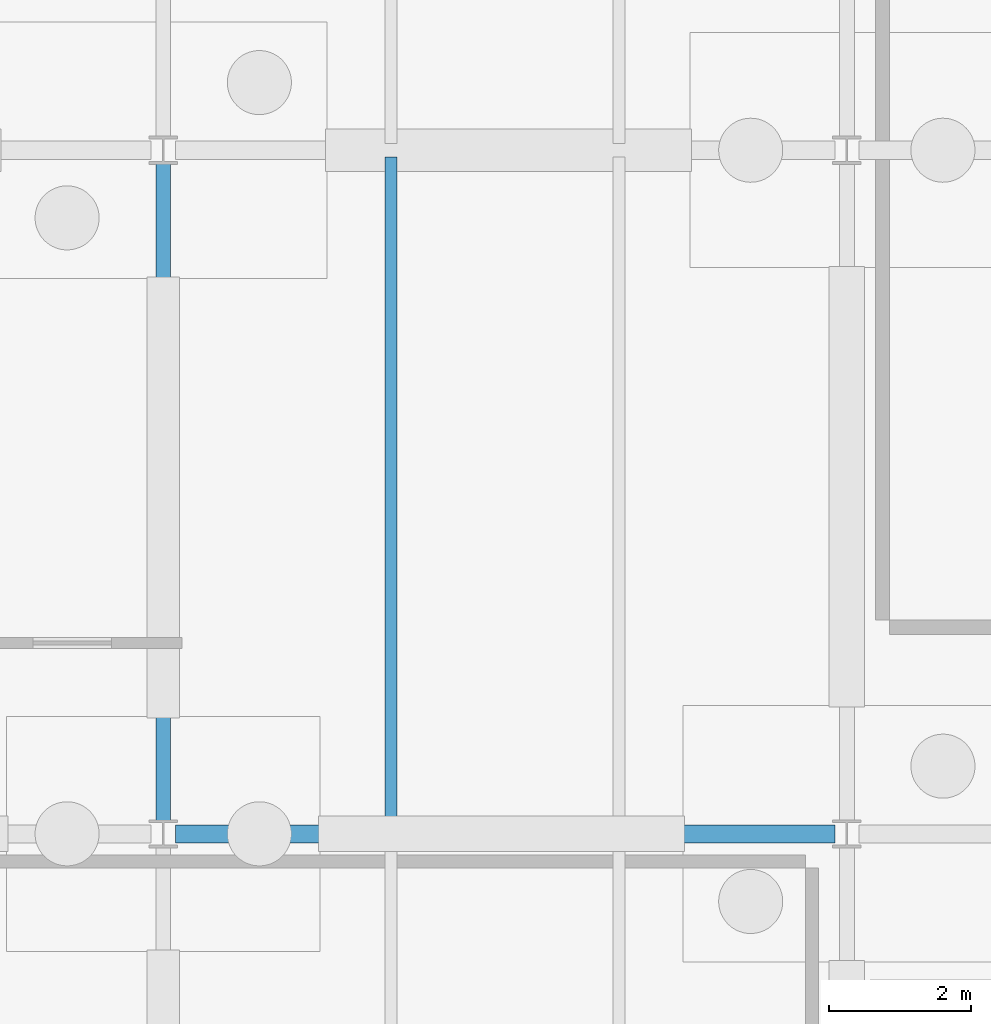
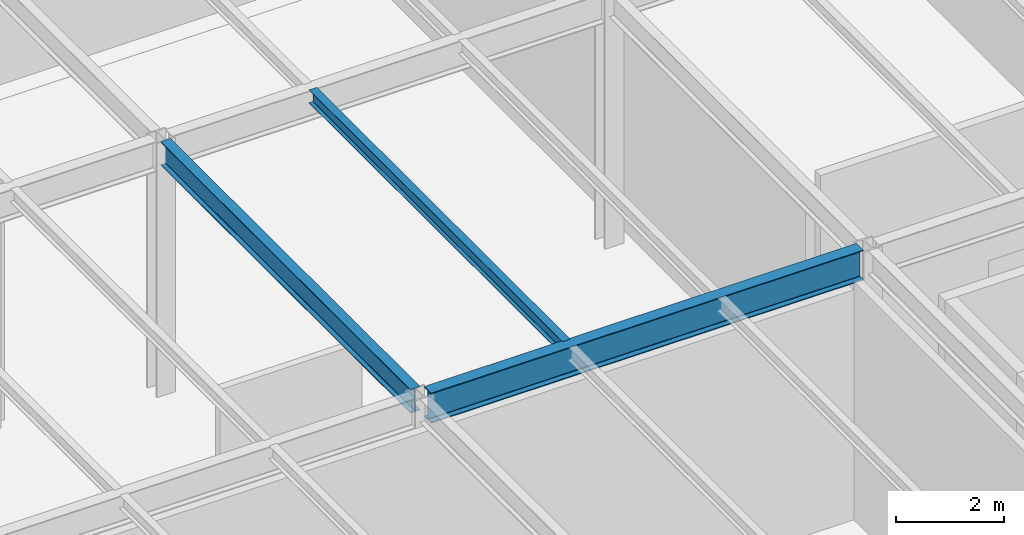
# One storey, part 34 of 142: 3 beams.
"""IFC4 building model written with IfcOpenShell, lengths in metres."""

from ifc_helpers import new_model, si_unit, direction, frame, origin, origin_2d, place, context, subcontext, project, spatial, i_section, extrude, material, material_profile, profile_set, type_object, element, save


model = new_model("IFC4")

# Units and contexts
model_context = context("Model", 3, precision=1e-05, world=origin(), true_north=direction((0.0, 1.0)))
body_context = subcontext(model_context, "Body", "Model", "MODEL_VIEW")
ifc_project = project(units=[si_unit("LENGTHUNIT", "METRE"), si_unit("AREAUNIT", "SQUARE_METRE"), si_unit("VOLUMEUNIT", "CUBIC_METRE"), si_unit("PLANEANGLEUNIT", "RADIAN"), si_unit("MASSUNIT", "GRAM", prefix="KILO")], contexts=[model_context])

# Site, building, storey
site_placement = place(None, origin())
site = spatial("IfcSite", under=ifc_project, at=site_placement, CompositionType="ELEMENT")
building_placement = place(site_placement, origin())
building = spatial("IfcBuilding", under=site, at=building_placement, Name="Coralgate Yard Interchange", CompositionType="ELEMENT")
storey_placement = place(building_placement, origin())
storey = spatial("IfcBuildingStorey", under=building, at=storey_placement, Name="L00", CompositionType="ELEMENT", Elevation=0.0)

# Beams
ifc_material = material(Name="Structural steel S355J2", Category="steel")
ifc_material_profile_1 = material_profile(ifc_material, i_section(OverallWidth=0.209228515625, OverallDepth=0.533203125, WebThickness=0.010009765625, FlangeThickness=0.015625, FilletRadius=0.0126953125, at=origin_2d()), Name="UB 533x210x92")
ifc_profile_set_1 = profile_set([ifc_material_profile_1], Name="Structural steel S355J2")
beam_type_1 = type_object("IfcBeamType", Name="BM-SB-1", PredefinedType="BEAM", material=ifc_profile_set_1)
beam_1_placement = place(storey_placement, frame((9.60009765625, 9.766845703125, 5.4833984375), z_axis=(0.0, 1.0, 0.0), x_axis=(-1.0, 0.0, 0.0)))
element("IfcBeam", 1, at=beam_1_placement, inside=storey, type_object=beam_type_1, Name="L00 primary grid girder X1 Y1-2", PredefinedType="BEAM", context=body_context, shape_type="SweptSolid", body=[
    extrude(i_section(OverallWidth=0.209228515625, OverallDepth=0.533203125, WebThickness=0.010009765625, FlangeThickness=0.015625, FilletRadius=0.0126953125, at=origin_2d()), origin(), (0.0, 0.0, 1.0), 9.266357421875),
])
ifc_material_profile_2 = material_profile(ifc_material, i_section(OverallWidth=0.253662109375, OverallDepth=0.68359375, WebThickness=0.012451171875, FlangeThickness=0.01904296875, FilletRadius=0.01513671875, at=origin_2d()), Name="UB 686x254x140")
ifc_profile_set_2 = profile_set([ifc_material_profile_2], Name="Structural steel S355J2")
beam_type_2 = type_object("IfcBeamType", Name="BM-SG-4", PredefinedType="BEAM", material=ifc_profile_set_2)
beam_2_placement = place(storey_placement, frame((9.76953125, 9.60009765625, 5.408203125), z_axis=(1.0, 0.0, 0.0), x_axis=(0.0, 1.0, 0.0)))
element("IfcBeam", 2, at=beam_2_placement, inside=storey, type_object=beam_type_2, Name="L00 primary grid beam Y1 X1-2", PredefinedType="BEAM", context=body_context, shape_type="SweptSolid", body=[
    extrude(i_section(OverallWidth=0.253662109375, OverallDepth=0.68359375, WebThickness=0.012451171875, FlangeThickness=0.01904296875, FilletRadius=0.01513671875, at=origin_2d()), origin(), (0.0, 0.0, 1.0), 9.260986328125),
])
ifc_material_profile_3 = material_profile(ifc_material, i_section(OverallWidth=0.1650390625, OverallDepth=0.303466796875, WebThickness=0.006103515625, FlangeThickness=0.01025390625, FilletRadius=0.0087890625, at=origin_2d()), Name="UB 305x165x40")
ifc_profile_set_3 = profile_set([ifc_material_profile_3], Name="Structural steel S355J2")
beam_type_3 = type_object("IfcBeamType", Name="BM-SJ-1", PredefinedType="JOIST", material=ifc_profile_set_3)
beam_3_placement = place(storey_placement, frame((12.800048828125, 9.69677734375, 5.598388671875), z_axis=(0.0, 1.0, 0.0), x_axis=(-1.0, 0.0, 0.0)))
element("IfcBeam", 3, at=beam_3_placement, inside=storey, type_object=beam_type_3, Name="L00 composite floor joist 1-1-1", PredefinedType="JOIST", context=body_context, shape_type="SweptSolid", body=[
    extrude(i_section(OverallWidth=0.1650390625, OverallDepth=0.303466796875, WebThickness=0.006103515625, FlangeThickness=0.01025390625, FilletRadius=0.0087890625, at=origin_2d()), origin(), (0.0, 0.0, 1.0), 9.40625),
])

save(model, "model.ifc")
